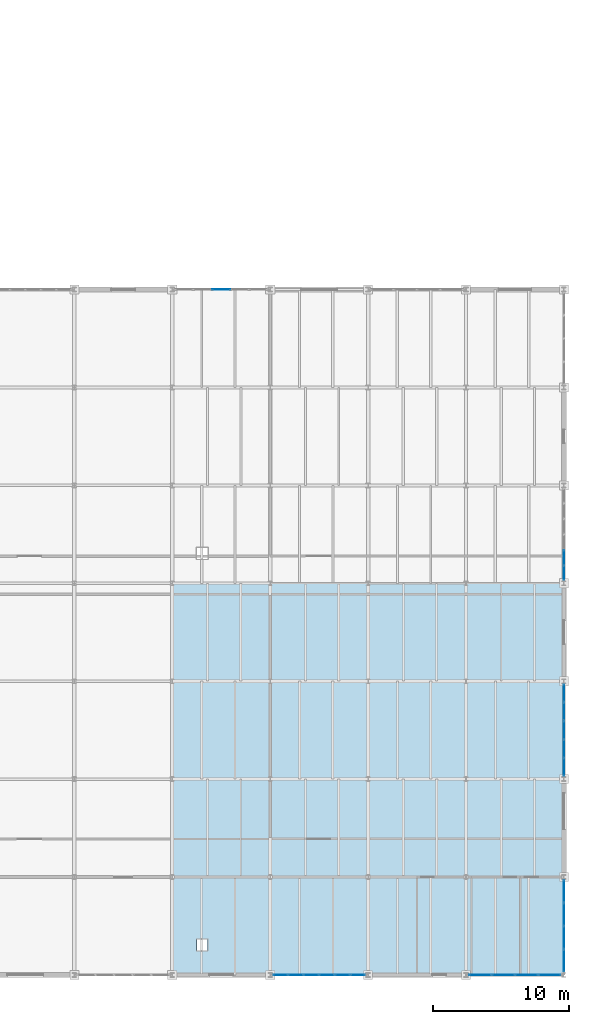
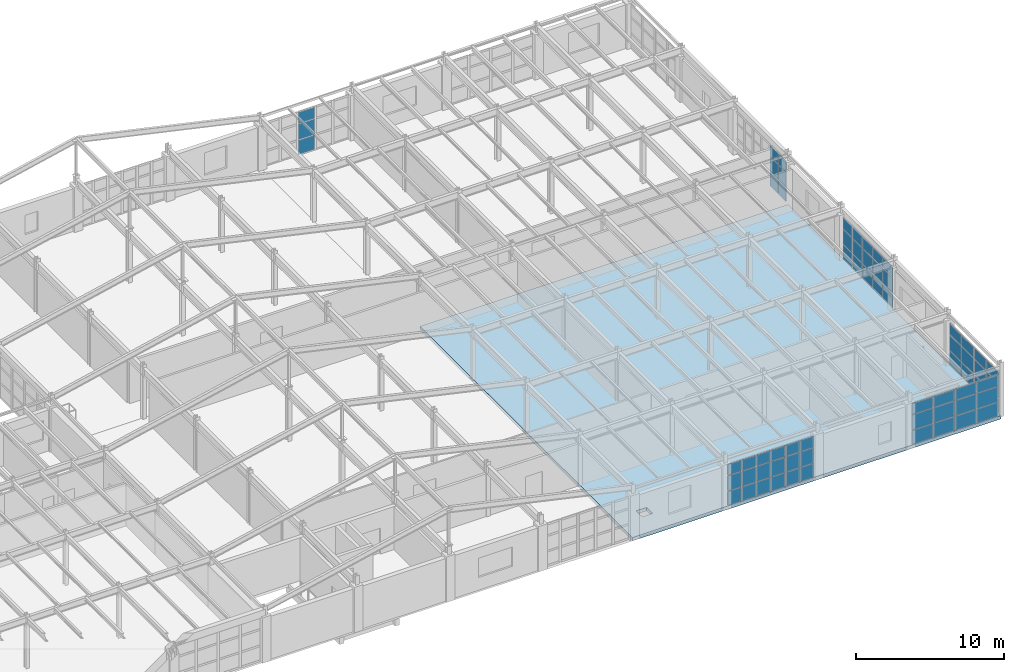
# One storey, part 119 of 137: 66 plates, 1 slab, 6 elements without a shape of their own.
"""IFC4 building model written with IfcOpenShell, lengths in metres."""

from ifc_helpers import new_model, si_unit, direction, frame, origin, origin_2d, place, context, subcontext, project, spatial, polyline, rectangle, outline, extrude, material, layer, layer_set, type_object, element, aggregate, save


model = new_model("IFC4")

# Units and contexts
model_context = context("Model", 3, precision=1e-05, world=origin(), true_north=direction((0.0, 1.0)))
body_context = subcontext(model_context, "Body", "Model", "MODEL_VIEW")
ifc_project = project(units=[si_unit("LENGTHUNIT", "METRE"), si_unit("AREAUNIT", "SQUARE_METRE"), si_unit("VOLUMEUNIT", "CUBIC_METRE"), si_unit("PLANEANGLEUNIT", "RADIAN"), si_unit("MASSUNIT", "GRAM", prefix="KILO")], contexts=[model_context])

# Site, building, storey
site_placement = place(None, origin())
site = spatial("IfcSite", under=ifc_project, at=site_placement, CompositionType="ELEMENT")
building_placement = place(site_placement, origin())
building = spatial("IfcBuilding", under=site, at=building_placement, Name="Kemerveld Promenade Tramway Depot", CompositionType="ELEMENT")
storey_placement = place(building_placement, frame((0.0, 0.0, 5.39990234375)))
storey = spatial("IfcBuildingStorey", under=building, at=storey_placement, Name="L01", CompositionType="ELEMENT", Elevation=5.39990234375)

# Curtain wall, plates
ifc_material_1 = material(Name="Bronze anodised aluminium and solar glass", Category="aluminium")
ifc_layer_1 = layer(ifc_material_1, 0.199951171875)
ifc_layer_set_1 = layer_set([ifc_layer_1], Name="CW-SYS-10")
curtain_wall_type_1 = type_object("IfcCurtainWallType", Name="CW-SYS-10", PredefinedType="USERDEFINED", material=ifc_layer_set_1)
curtain_wall_1_placement = place(storey_placement, origin())
curtain_wall_1 = element("IfcCurtainWall", 1, at=curtain_wall_1_placement, inside=storey, type_object=curtain_wall_type_1, Name="CW-L01-V2E-07", ObjectType="GLAZED_CURTAIN_WALL", PredefinedType="USERDEFINED")
ifc_material_2 = material(Name="Solar-control laminated double glazing", Category="glass")
ifc_layer_2 = layer(ifc_material_2, 0.028076171875)
ifc_layer_set_2 = layer_set([ifc_layer_2], Name="CW-PNL-02")
plate_type_1 = type_object("IfcPlateType", Name="CW-PNL-02", PredefinedType="CURTAIN_PANEL", material=ifc_layer_set_2)
plate_1_placement = place(storey_placement, frame((216.0, 6.1484375, 0.065185546875), z_axis=(0.0, 0.0, 1.0), x_axis=(0.0, -1.0, 0.0)))
plate_1 = element("IfcPlate", 2, at=plate_1_placement, type_object=plate_type_1, Name="CW10 panel 1.1", PredefinedType="CURTAIN_PANEL", context=body_context, shape_type="SweptSolid", body=[
    extrude(rectangle(XDim=1.598876953125, YDim=0.028076171875, at=origin_2d()), origin(), (0.0, 0.0, 1.0), 1.12451171875),
])
plate_2_placement = place(storey_placement, frame((216.0, 6.1484375, 1.254638671875), z_axis=(0.0, 0.0, 1.0), x_axis=(0.0, -1.0, 0.0)))
plate_2 = element("IfcPlate", 3, at=plate_2_placement, type_object=plate_type_1, Name="CW10 panel 1.2", PredefinedType="CURTAIN_PANEL", context=body_context, shape_type="SweptSolid", body=[
    extrude(rectangle(XDim=1.598876953125, YDim=0.028076171875, at=origin_2d()), origin(), (0.0, 0.0, 1.0), 1.22802734375),
])
plate_3_placement = place(storey_placement, frame((216.0, 6.1484375, 2.547607421875), z_axis=(0.0, 0.0, 1.0), x_axis=(0.0, -1.0, 0.0)))
plate_3 = element("IfcPlate", 4, at=plate_3_placement, type_object=plate_type_1, Name="CW10 panel 1.3", PredefinedType="CURTAIN_PANEL", context=body_context, shape_type="SweptSolid", body=[
    extrude(rectangle(XDim=1.598876953125, YDim=0.028076171875, at=origin_2d()), origin(), (0.0, 0.0, 1.0), 0.8798828125),
])
plate_4_placement = place(storey_placement, frame((216.0, 4.455810546875, 0.065185546875), z_axis=(0.0, 0.0, 1.0), x_axis=(0.0, -1.0, 0.0)))
plate_4 = element("IfcPlate", 5, at=plate_4_placement, type_object=plate_type_1, Name="CW10 panel 2.1", PredefinedType="CURTAIN_PANEL", context=body_context, shape_type="SweptSolid", body=[
    extrude(rectangle(XDim=1.636474609375, YDim=0.028076171875, at=origin_2d()), origin(), (0.0, 0.0, 1.0), 1.12451171875),
])
plate_5_placement = place(storey_placement, frame((216.0, 4.455810546875, 1.254638671875), z_axis=(0.0, 0.0, 1.0), x_axis=(0.0, -1.0, 0.0)))
plate_5 = element("IfcPlate", 6, at=plate_5_placement, type_object=plate_type_1, Name="CW10 panel 2.2", PredefinedType="CURTAIN_PANEL", context=body_context, shape_type="SweptSolid", body=[
    extrude(rectangle(XDim=1.636474609375, YDim=0.028076171875, at=origin_2d()), origin(), (0.0, 0.0, 1.0), 1.22802734375),
])
plate_6_placement = place(storey_placement, frame((216.0, 4.455810546875, 2.547607421875), z_axis=(0.0, 0.0, 1.0), x_axis=(0.0, -1.0, 0.0)))
plate_6 = element("IfcPlate", 7, at=plate_6_placement, type_object=plate_type_1, Name="CW10 panel 2.3", PredefinedType="CURTAIN_PANEL", context=body_context, shape_type="SweptSolid", body=[
    extrude(rectangle(XDim=1.636474609375, YDim=0.028076171875, at=origin_2d()), origin(), (0.0, 0.0, 1.0), 0.8798828125),
])
plate_7_placement = place(storey_placement, frame((216.0, 2.744384765625, 0.065185546875), z_axis=(0.0, 0.0, 1.0), x_axis=(0.0, -1.0, 0.0)))
plate_7 = element("IfcPlate", 8, at=plate_7_placement, type_object=plate_type_1, Name="CW10 panel 3.1", PredefinedType="CURTAIN_PANEL", context=body_context, shape_type="SweptSolid", body=[
    extrude(rectangle(XDim=1.636474609375, YDim=0.028076171875, at=origin_2d()), origin(), (0.0, 0.0, 1.0), 1.12451171875),
])
plate_8_placement = place(storey_placement, frame((216.0, 2.744384765625, 1.254638671875), z_axis=(0.0, 0.0, 1.0), x_axis=(0.0, -1.0, 0.0)))
plate_8 = element("IfcPlate", 9, at=plate_8_placement, type_object=plate_type_1, Name="CW10 panel 3.2", PredefinedType="CURTAIN_PANEL", context=body_context, shape_type="SweptSolid", body=[
    extrude(rectangle(XDim=1.636474609375, YDim=0.028076171875, at=origin_2d()), origin(), (0.0, 0.0, 1.0), 1.22802734375),
])
plate_9_placement = place(storey_placement, frame((216.0, 2.744384765625, 2.547607421875), z_axis=(0.0, 0.0, 1.0), x_axis=(0.0, -1.0, 0.0)))
plate_9 = element("IfcPlate", 10, at=plate_9_placement, type_object=plate_type_1, Name="CW10 panel 3.3", PredefinedType="CURTAIN_PANEL", context=body_context, shape_type="SweptSolid", body=[
    extrude(rectangle(XDim=1.636474609375, YDim=0.028076171875, at=origin_2d()), origin(), (0.0, 0.0, 1.0), 0.8798828125),
])
plate_10_placement = place(storey_placement, frame((216.0, 1.0517578125, 0.065185546875), z_axis=(0.0, 0.0, 1.0), x_axis=(0.0, -1.0, 0.0)))
plate_10 = element("IfcPlate", 11, at=plate_10_placement, type_object=plate_type_1, Name="CW10 panel 4.1", PredefinedType="CURTAIN_PANEL", context=body_context, shape_type="SweptSolid", body=[
    extrude(rectangle(XDim=1.598876953125, YDim=0.028076171875, at=origin_2d()), origin(), (0.0, 0.0, 1.0), 1.12451171875),
])
plate_11_placement = place(storey_placement, frame((216.0, 1.0517578125, 1.254638671875), z_axis=(0.0, 0.0, 1.0), x_axis=(0.0, -1.0, 0.0)))
plate_11 = element("IfcPlate", 12, at=plate_11_placement, type_object=plate_type_1, Name="CW10 panel 4.2", PredefinedType="CURTAIN_PANEL", context=body_context, shape_type="SweptSolid", body=[
    extrude(rectangle(XDim=1.598876953125, YDim=0.028076171875, at=origin_2d()), origin(), (0.0, 0.0, 1.0), 1.22802734375),
])
plate_12_placement = place(storey_placement, frame((216.0, 1.0517578125, 2.547607421875), z_axis=(0.0, 0.0, 1.0), x_axis=(0.0, -1.0, 0.0)))
plate_12 = element("IfcPlate", 13, at=plate_12_placement, type_object=plate_type_1, Name="CW10 panel 4.3", PredefinedType="CURTAIN_PANEL", context=body_context, shape_type="SweptSolid", body=[
    extrude(rectangle(XDim=1.598876953125, YDim=0.028076171875, at=origin_2d()), origin(), (0.0, 0.0, 1.0), 0.8798828125),
])
aggregate(curtain_wall_1, [plate_1, plate_2, plate_3, plate_4, plate_5, plate_6, plate_7, plate_8, plate_9, plate_10, plate_11, plate_12])

ifc_layer_3 = layer(ifc_material_1, 0.199951171875)
ifc_layer_set_3 = layer_set([ifc_layer_3], Name="CW-SYS-04")
curtain_wall_type_2 = type_object("IfcCurtainWallType", Name="CW-SYS-04", PredefinedType="USERDEFINED", material=ifc_layer_set_3)
curtain_wall_2_placement = place(storey_placement, origin())
curtain_wall_2 = element("IfcCurtainWall", 14, at=curtain_wall_2_placement, inside=storey, type_object=curtain_wall_type_2, Name="CW-L01-V2S-01", ObjectType="GLAZED_CURTAIN_WALL", PredefinedType="USERDEFINED")
ifc_layer_4 = layer(ifc_material_2, 0.031982421875)
ifc_layer_set_4 = layer_set([ifc_layer_4], Name="CW-PNL-04")
plate_type_2 = type_object("IfcPlateType", Name="CW-PNL-04", PredefinedType="CURTAIN_PANEL", material=ifc_layer_set_4)
plate_13_placement = place(storey_placement, frame((214.9482421875, 0.0, 0.065185546875), z_axis=(0.0, 0.0, 1.0), x_axis=(-1.0, 0.0, 0.0)))
plate_13 = element("IfcPlate", 15, at=plate_13_placement, type_object=plate_type_2, Name="CW04 panel 1.1", PredefinedType="CURTAIN_PANEL", context=body_context, shape_type="SweptSolid", body=[
    extrude(rectangle(XDim=1.598876953125, YDim=0.031982421875, at=origin_2d()), origin(), (0.0, 0.0, 1.0), 1.12451171875),
])
plate_14_placement = place(storey_placement, frame((214.9482421875, 0.0, 1.254638671875), z_axis=(0.0, 0.0, 1.0), x_axis=(-1.0, 0.0, 0.0)))
plate_14 = element("IfcPlate", 16, at=plate_14_placement, type_object=plate_type_2, Name="CW04 panel 1.2", PredefinedType="CURTAIN_PANEL", context=body_context, shape_type="SweptSolid", body=[
    extrude(rectangle(XDim=1.598876953125, YDim=0.031982421875, at=origin_2d()), origin(), (0.0, 0.0, 1.0), 1.22802734375),
])
plate_15_placement = place(storey_placement, frame((214.9482421875, 0.0, 2.547607421875), z_axis=(0.0, 0.0, 1.0), x_axis=(-1.0, 0.0, 0.0)))
plate_15 = element("IfcPlate", 17, at=plate_15_placement, type_object=plate_type_2, Name="CW04 panel 1.3", PredefinedType="CURTAIN_PANEL", context=body_context, shape_type="SweptSolid", body=[
    extrude(rectangle(XDim=1.598876953125, YDim=0.031982421875, at=origin_2d()), origin(), (0.0, 0.0, 1.0), 0.8798828125),
])
plate_16_placement = place(storey_placement, frame((213.255615234375, 0.0, 0.065185546875), z_axis=(0.0, 0.0, 1.0), x_axis=(-1.0, 0.0, 0.0)))
plate_16 = element("IfcPlate", 18, at=plate_16_placement, type_object=plate_type_2, Name="CW04 panel 2.1", PredefinedType="CURTAIN_PANEL", context=body_context, shape_type="SweptSolid", body=[
    extrude(rectangle(XDim=1.636474609375, YDim=0.031982421875, at=origin_2d()), origin(), (0.0, 0.0, 1.0), 1.12451171875),
])
plate_17_placement = place(storey_placement, frame((213.255615234375, 0.0, 1.254638671875), z_axis=(0.0, 0.0, 1.0), x_axis=(-1.0, 0.0, 0.0)))
plate_17 = element("IfcPlate", 19, at=plate_17_placement, type_object=plate_type_2, Name="CW04 panel 2.2", PredefinedType="CURTAIN_PANEL", context=body_context, shape_type="SweptSolid", body=[
    extrude(rectangle(XDim=1.636474609375, YDim=0.031982421875, at=origin_2d()), origin(), (0.0, 0.0, 1.0), 1.22802734375),
])
plate_18_placement = place(storey_placement, frame((213.255615234375, 0.0, 2.547607421875), z_axis=(0.0, 0.0, 1.0), x_axis=(-1.0, 0.0, 0.0)))
plate_18 = element("IfcPlate", 20, at=plate_18_placement, type_object=plate_type_2, Name="CW04 panel 2.3", PredefinedType="CURTAIN_PANEL", context=body_context, shape_type="SweptSolid", body=[
    extrude(rectangle(XDim=1.636474609375, YDim=0.031982421875, at=origin_2d()), origin(), (0.0, 0.0, 1.0), 0.8798828125),
])
plate_19_placement = place(storey_placement, frame((211.544189453125, 0.0, 0.065185546875), z_axis=(0.0, 0.0, 1.0), x_axis=(-1.0, 0.0, 0.0)))
plate_19 = element("IfcPlate", 21, at=plate_19_placement, type_object=plate_type_2, Name="CW04 panel 3.1", PredefinedType="CURTAIN_PANEL", context=body_context, shape_type="SweptSolid", body=[
    extrude(rectangle(XDim=1.636474609375, YDim=0.031982421875, at=origin_2d()), origin(), (0.0, 0.0, 1.0), 1.12451171875),
])
plate_20_placement = place(storey_placement, frame((211.544189453125, 0.0, 1.254638671875), z_axis=(0.0, 0.0, 1.0), x_axis=(-1.0, 0.0, 0.0)))
plate_20 = element("IfcPlate", 22, at=plate_20_placement, type_object=plate_type_2, Name="CW04 panel 3.2", PredefinedType="CURTAIN_PANEL", context=body_context, shape_type="SweptSolid", body=[
    extrude(rectangle(XDim=1.636474609375, YDim=0.031982421875, at=origin_2d()), origin(), (0.0, 0.0, 1.0), 1.22802734375),
])
plate_21_placement = place(storey_placement, frame((211.544189453125, 0.0, 2.547607421875), z_axis=(0.0, 0.0, 1.0), x_axis=(-1.0, 0.0, 0.0)))
plate_21 = element("IfcPlate", 23, at=plate_21_placement, type_object=plate_type_2, Name="CW04 panel 3.3", PredefinedType="CURTAIN_PANEL", context=body_context, shape_type="SweptSolid", body=[
    extrude(rectangle(XDim=1.636474609375, YDim=0.031982421875, at=origin_2d()), origin(), (0.0, 0.0, 1.0), 0.8798828125),
])
plate_22_placement = place(storey_placement, frame((209.8515625, 0.0, 0.065185546875), z_axis=(0.0, 0.0, 1.0), x_axis=(-1.0, 0.0, 0.0)))
plate_22 = element("IfcPlate", 24, at=plate_22_placement, type_object=plate_type_2, Name="CW04 panel 4.1", PredefinedType="CURTAIN_PANEL", context=body_context, shape_type="SweptSolid", body=[
    extrude(rectangle(XDim=1.598876953125, YDim=0.031982421875, at=origin_2d()), origin(), (0.0, 0.0, 1.0), 1.12451171875),
])
plate_23_placement = place(storey_placement, frame((209.8515625, 0.0, 1.254638671875), z_axis=(0.0, 0.0, 1.0), x_axis=(-1.0, 0.0, 0.0)))
plate_23 = element("IfcPlate", 25, at=plate_23_placement, type_object=plate_type_2, Name="CW04 panel 4.2", PredefinedType="CURTAIN_PANEL", context=body_context, shape_type="SweptSolid", body=[
    extrude(rectangle(XDim=1.598876953125, YDim=0.031982421875, at=origin_2d()), origin(), (0.0, 0.0, 1.0), 1.22802734375),
])
plate_24_placement = place(storey_placement, frame((209.8515625, 0.0, 2.547607421875), z_axis=(0.0, 0.0, 1.0), x_axis=(-1.0, 0.0, 0.0)))
plate_24 = element("IfcPlate", 26, at=plate_24_placement, type_object=plate_type_2, Name="CW04 panel 4.3", PredefinedType="CURTAIN_PANEL", context=body_context, shape_type="SweptSolid", body=[
    extrude(rectangle(XDim=1.598876953125, YDim=0.031982421875, at=origin_2d()), origin(), (0.0, 0.0, 1.0), 0.8798828125),
])
aggregate(curtain_wall_2, [plate_13, plate_14, plate_15, plate_16, plate_17, plate_18, plate_19, plate_20, plate_21, plate_22, plate_23, plate_24])

ifc_layer_5 = layer(ifc_material_1, 0.199951171875)
ifc_layer_set_5 = layer_set([ifc_layer_5], Name="CW-SYS-06")
curtain_wall_type_3 = type_object("IfcCurtainWallType", Name="CW-SYS-06", PredefinedType="USERDEFINED", material=ifc_layer_set_5)
curtain_wall_3_placement = place(storey_placement, origin())
curtain_wall_3 = element("IfcCurtainWall", 27, at=curtain_wall_3_placement, inside=storey, type_object=curtain_wall_type_3, Name="CW-L01-V2E-03", ObjectType="GLAZED_CURTAIN_WALL", PredefinedType="USERDEFINED")
ifc_layer_6 = layer(ifc_material_2, 0.02587890625)
ifc_layer_set_6 = layer_set([ifc_layer_6], Name="CW-PNL-06")
plate_type_3 = type_object("IfcPlateType", Name="CW-PNL-06", PredefinedType="CURTAIN_PANEL", material=ifc_layer_set_6)
plate_25_placement = place(storey_placement, frame((216.0, 30.688720703125, 0.065185546875), z_axis=(0.0, 0.0, 1.0), x_axis=(0.0, -1.0, 0.0)))
plate_25 = element("IfcPlate", 28, at=plate_25_placement, type_object=plate_type_3, Name="CW06 panel 5.1", PredefinedType="CURTAIN_PANEL", context=body_context, shape_type="SweptSolid", body=[
    extrude(rectangle(XDim=1.06591796875, YDim=0.02587890625, at=origin_2d()), origin(), (0.0, 0.0, 1.0), 1.12451171875),
])
plate_26_placement = place(storey_placement, frame((216.0, 30.688720703125, 1.254638671875), z_axis=(0.0, 0.0, 1.0), x_axis=(0.0, -1.0, 0.0)))
plate_26 = element("IfcPlate", 29, at=plate_26_placement, type_object=plate_type_3, Name="CW06 panel 5.2", PredefinedType="CURTAIN_PANEL", context=body_context, shape_type="SweptSolid", body=[
    extrude(rectangle(XDim=1.06591796875, YDim=0.02587890625, at=origin_2d()), origin(), (0.0, 0.0, 1.0), 1.22802734375),
])
plate_27_placement = place(storey_placement, frame((216.0, 30.688720703125, 2.547607421875), z_axis=(0.0, 0.0, 1.0), x_axis=(0.0, -1.0, 0.0)))
plate_27 = element("IfcPlate", 30, at=plate_27_placement, type_object=plate_type_3, Name="CW06 panel 5.3", PredefinedType="CURTAIN_PANEL", context=body_context, shape_type="SweptSolid", body=[
    extrude(rectangle(XDim=1.06591796875, YDim=0.02587890625, at=origin_2d()), origin(), (0.0, 0.0, 1.0), 0.8798828125),
])
plate_28_placement = place(storey_placement, frame((216.0, 29.56640625, 0.065185546875), z_axis=(0.0, 0.0, 1.0), x_axis=(0.0, -1.0, 0.0)))
plate_28 = element("IfcPlate", 31, at=plate_28_placement, type_object=plate_type_3, Name="CW06 panel 6.1", PredefinedType="CURTAIN_PANEL", context=body_context, shape_type="SweptSolid", body=[
    extrude(rectangle(XDim=1.0283203125, YDim=0.02587890625, at=origin_2d()), origin(), (0.0, 0.0, 1.0), 1.12451171875),
])
plate_29_placement = place(storey_placement, frame((216.0, 29.56640625, 1.254638671875), z_axis=(0.0, 0.0, 1.0), x_axis=(0.0, -1.0, 0.0)))
plate_29 = element("IfcPlate", 32, at=plate_29_placement, type_object=plate_type_3, Name="CW06 panel 6.2", PredefinedType="CURTAIN_PANEL", context=body_context, shape_type="SweptSolid", body=[
    extrude(rectangle(XDim=1.0283203125, YDim=0.02587890625, at=origin_2d()), origin(), (0.0, 0.0, 1.0), 1.22802734375),
])
plate_30_placement = place(storey_placement, frame((216.0, 29.56640625, 2.547607421875), z_axis=(0.0, 0.0, 1.0), x_axis=(0.0, -1.0, 0.0)))
plate_30 = element("IfcPlate", 33, at=plate_30_placement, type_object=plate_type_3, Name="CW06 panel 6.3", PredefinedType="CURTAIN_PANEL", context=body_context, shape_type="SweptSolid", body=[
    extrude(rectangle(XDim=1.0283203125, YDim=0.02587890625, at=origin_2d()), origin(), (0.0, 0.0, 1.0), 0.8798828125),
])
aggregate(curtain_wall_3, [plate_25, plate_26, plate_27, plate_28, plate_29, plate_30])

curtain_wall_4_placement = place(storey_placement, origin())
curtain_wall_4 = element("IfcCurtainWall", 34, at=curtain_wall_4_placement, inside=storey, type_object=curtain_wall_type_3, Name="CW-L01-V2S-03", ObjectType="GLAZED_CURTAIN_WALL", PredefinedType="USERDEFINED")
plate_31_placement = place(storey_placement, frame((200.83349609375, 0.0, 0.065185546875), z_axis=(0.0, 0.0, 1.0), x_axis=(-1.0, 0.0, 0.0)))
plate_31 = element("IfcPlate", 35, at=plate_31_placement, type_object=plate_type_3, Name="CW06 panel 1.1", PredefinedType="CURTAIN_PANEL", context=body_context, shape_type="SweptSolid", body=[
    extrude(rectangle(XDim=1.0283203125, YDim=0.02587890625, at=origin_2d()), origin(), (0.0, 0.0, 1.0), 1.12451171875),
])
plate_32_placement = place(storey_placement, frame((200.83349609375, 0.0, 1.254638671875), z_axis=(0.0, 0.0, 1.0), x_axis=(-1.0, 0.0, 0.0)))
plate_32 = element("IfcPlate", 36, at=plate_32_placement, type_object=plate_type_3, Name="CW06 panel 1.2", PredefinedType="CURTAIN_PANEL", context=body_context, shape_type="SweptSolid", body=[
    extrude(rectangle(XDim=1.0283203125, YDim=0.02587890625, at=origin_2d()), origin(), (0.0, 0.0, 1.0), 1.22802734375),
])
plate_33_placement = place(storey_placement, frame((200.83349609375, 0.0, 2.547607421875), z_axis=(0.0, 0.0, 1.0), x_axis=(-1.0, 0.0, 0.0)))
plate_33 = element("IfcPlate", 37, at=plate_33_placement, type_object=plate_type_3, Name="CW06 panel 1.3", PredefinedType="CURTAIN_PANEL", context=body_context, shape_type="SweptSolid", body=[
    extrude(rectangle(XDim=1.0283203125, YDim=0.02587890625, at=origin_2d()), origin(), (0.0, 0.0, 1.0), 0.8798828125),
])
plate_34_placement = place(storey_placement, frame((199.71142578125, 0.0, 0.065185546875), z_axis=(0.0, 0.0, 1.0), x_axis=(-1.0, 0.0, 0.0)))
plate_34 = element("IfcPlate", 38, at=plate_34_placement, type_object=plate_type_3, Name="CW06 panel 2.1", PredefinedType="CURTAIN_PANEL", context=body_context, shape_type="SweptSolid", body=[
    extrude(rectangle(XDim=1.06591796875, YDim=0.02587890625, at=origin_2d()), origin(), (0.0, 0.0, 1.0), 1.12451171875),
])
plate_35_placement = place(storey_placement, frame((199.71142578125, 0.0, 1.254638671875), z_axis=(0.0, 0.0, 1.0), x_axis=(-1.0, 0.0, 0.0)))
plate_35 = element("IfcPlate", 39, at=plate_35_placement, type_object=plate_type_3, Name="CW06 panel 2.2", PredefinedType="CURTAIN_PANEL", context=body_context, shape_type="SweptSolid", body=[
    extrude(rectangle(XDim=1.06591796875, YDim=0.02587890625, at=origin_2d()), origin(), (0.0, 0.0, 1.0), 1.22802734375),
])
plate_36_placement = place(storey_placement, frame((199.71142578125, 0.0, 2.547607421875), z_axis=(0.0, 0.0, 1.0), x_axis=(-1.0, 0.0, 0.0)))
plate_36 = element("IfcPlate", 40, at=plate_36_placement, type_object=plate_type_3, Name="CW06 panel 2.3", PredefinedType="CURTAIN_PANEL", context=body_context, shape_type="SweptSolid", body=[
    extrude(rectangle(XDim=1.06591796875, YDim=0.02587890625, at=origin_2d()), origin(), (0.0, 0.0, 1.0), 0.8798828125),
])
plate_37_placement = place(storey_placement, frame((198.570556640625, 0.0, 0.065185546875), z_axis=(0.0, 0.0, 1.0), x_axis=(-1.0, 0.0, 0.0)))
plate_37 = element("IfcPlate", 41, at=plate_37_placement, type_object=plate_type_3, Name="CW06 panel 3.1", PredefinedType="CURTAIN_PANEL", context=body_context, shape_type="SweptSolid", body=[
    extrude(rectangle(XDim=1.06591796875, YDim=0.02587890625, at=origin_2d()), origin(), (0.0, 0.0, 1.0), 1.12451171875),
])
plate_38_placement = place(storey_placement, frame((198.570556640625, 0.0, 1.254638671875), z_axis=(0.0, 0.0, 1.0), x_axis=(-1.0, 0.0, 0.0)))
plate_38 = element("IfcPlate", 42, at=plate_38_placement, type_object=plate_type_3, Name="CW06 panel 3.2", PredefinedType="CURTAIN_PANEL", context=body_context, shape_type="SweptSolid", body=[
    extrude(rectangle(XDim=1.06591796875, YDim=0.02587890625, at=origin_2d()), origin(), (0.0, 0.0, 1.0), 1.22802734375),
])
plate_39_placement = place(storey_placement, frame((198.570556640625, 0.0, 2.547607421875), z_axis=(0.0, 0.0, 1.0), x_axis=(-1.0, 0.0, 0.0)))
plate_39 = element("IfcPlate", 43, at=plate_39_placement, type_object=plate_type_3, Name="CW06 panel 3.3", PredefinedType="CURTAIN_PANEL", context=body_context, shape_type="SweptSolid", body=[
    extrude(rectangle(XDim=1.06591796875, YDim=0.02587890625, at=origin_2d()), origin(), (0.0, 0.0, 1.0), 0.8798828125),
])
plate_40_placement = place(storey_placement, frame((197.429443359375, 0.0, 0.065185546875), z_axis=(0.0, 0.0, 1.0), x_axis=(-1.0, 0.0, 0.0)))
plate_40 = element("IfcPlate", 44, at=plate_40_placement, type_object=plate_type_3, Name="CW06 panel 4.1", PredefinedType="CURTAIN_PANEL", context=body_context, shape_type="SweptSolid", body=[
    extrude(rectangle(XDim=1.06591796875, YDim=0.02587890625, at=origin_2d()), origin(), (0.0, 0.0, 1.0), 1.12451171875),
])
plate_41_placement = place(storey_placement, frame((197.429443359375, 0.0, 1.254638671875), z_axis=(0.0, 0.0, 1.0), x_axis=(-1.0, 0.0, 0.0)))
plate_41 = element("IfcPlate", 45, at=plate_41_placement, type_object=plate_type_3, Name="CW06 panel 4.2", PredefinedType="CURTAIN_PANEL", context=body_context, shape_type="SweptSolid", body=[
    extrude(rectangle(XDim=1.06591796875, YDim=0.02587890625, at=origin_2d()), origin(), (0.0, 0.0, 1.0), 1.22802734375),
])
plate_42_placement = place(storey_placement, frame((197.429443359375, 0.0, 2.547607421875), z_axis=(0.0, 0.0, 1.0), x_axis=(-1.0, 0.0, 0.0)))
plate_42 = element("IfcPlate", 46, at=plate_42_placement, type_object=plate_type_3, Name="CW06 panel 4.3", PredefinedType="CURTAIN_PANEL", context=body_context, shape_type="SweptSolid", body=[
    extrude(rectangle(XDim=1.06591796875, YDim=0.02587890625, at=origin_2d()), origin(), (0.0, 0.0, 1.0), 0.8798828125),
])
plate_43_placement = place(storey_placement, frame((196.28857421875, 0.0, 0.065185546875), z_axis=(0.0, 0.0, 1.0), x_axis=(-1.0, 0.0, 0.0)))
plate_43 = element("IfcPlate", 47, at=plate_43_placement, type_object=plate_type_3, Name="CW06 panel 5.1", PredefinedType="CURTAIN_PANEL", context=body_context, shape_type="SweptSolid", body=[
    extrude(rectangle(XDim=1.06591796875, YDim=0.02587890625, at=origin_2d()), origin(), (0.0, 0.0, 1.0), 1.12451171875),
])
plate_44_placement = place(storey_placement, frame((196.28857421875, 0.0, 1.254638671875), z_axis=(0.0, 0.0, 1.0), x_axis=(-1.0, 0.0, 0.0)))
plate_44 = element("IfcPlate", 48, at=plate_44_placement, type_object=plate_type_3, Name="CW06 panel 5.2", PredefinedType="CURTAIN_PANEL", context=body_context, shape_type="SweptSolid", body=[
    extrude(rectangle(XDim=1.06591796875, YDim=0.02587890625, at=origin_2d()), origin(), (0.0, 0.0, 1.0), 1.22802734375),
])
plate_45_placement = place(storey_placement, frame((196.28857421875, 0.0, 2.547607421875), z_axis=(0.0, 0.0, 1.0), x_axis=(-1.0, 0.0, 0.0)))
plate_45 = element("IfcPlate", 49, at=plate_45_placement, type_object=plate_type_3, Name="CW06 panel 5.3", PredefinedType="CURTAIN_PANEL", context=body_context, shape_type="SweptSolid", body=[
    extrude(rectangle(XDim=1.06591796875, YDim=0.02587890625, at=origin_2d()), origin(), (0.0, 0.0, 1.0), 0.8798828125),
])
plate_46_placement = place(storey_placement, frame((195.16650390625, 0.0, 0.065185546875), z_axis=(0.0, 0.0, 1.0), x_axis=(-1.0, 0.0, 0.0)))
plate_46 = element("IfcPlate", 50, at=plate_46_placement, type_object=plate_type_3, Name="CW06 panel 6.1", PredefinedType="CURTAIN_PANEL", context=body_context, shape_type="SweptSolid", body=[
    extrude(rectangle(XDim=1.0283203125, YDim=0.02587890625, at=origin_2d()), origin(), (0.0, 0.0, 1.0), 1.12451171875),
])
plate_47_placement = place(storey_placement, frame((195.16650390625, 0.0, 1.254638671875), z_axis=(0.0, 0.0, 1.0), x_axis=(-1.0, 0.0, 0.0)))
plate_47 = element("IfcPlate", 51, at=plate_47_placement, type_object=plate_type_3, Name="CW06 panel 6.2", PredefinedType="CURTAIN_PANEL", context=body_context, shape_type="SweptSolid", body=[
    extrude(rectangle(XDim=1.0283203125, YDim=0.02587890625, at=origin_2d()), origin(), (0.0, 0.0, 1.0), 1.22802734375),
])
plate_48_placement = place(storey_placement, frame((195.16650390625, 0.0, 2.547607421875), z_axis=(0.0, 0.0, 1.0), x_axis=(-1.0, 0.0, 0.0)))
plate_48 = element("IfcPlate", 52, at=plate_48_placement, type_object=plate_type_3, Name="CW06 panel 6.3", PredefinedType="CURTAIN_PANEL", context=body_context, shape_type="SweptSolid", body=[
    extrude(rectangle(XDim=1.0283203125, YDim=0.02587890625, at=origin_2d()), origin(), (0.0, 0.0, 1.0), 0.8798828125),
])
aggregate(curtain_wall_4, [plate_31, plate_32, plate_33, plate_34, plate_35, plate_36, plate_37, plate_38, plate_39, plate_40, plate_41, plate_42, plate_43, plate_44, plate_45, plate_46, plate_47, plate_48])

ifc_layer_7 = layer(ifc_material_1, 0.199951171875)
ifc_layer_set_7 = layer_set([ifc_layer_7], Name="CW-SYS-08")
curtain_wall_type_4 = type_object("IfcCurtainWallType", Name="CW-SYS-08", PredefinedType="USERDEFINED", material=ifc_layer_set_7)
curtain_wall_5_placement = place(storey_placement, origin())
curtain_wall_5 = element("IfcCurtainWall", 53, at=curtain_wall_5_placement, inside=storey, type_object=curtain_wall_type_4, Name="CW-L01-V2N-05", ObjectType="GLAZED_CURTAIN_WALL", PredefinedType="USERDEFINED")
ifc_layer_8 = layer(ifc_material_2, 0.028076171875)
ifc_layer_set_8 = layer_set([ifc_layer_8], Name="CW-PNL-08")
plate_type_4 = type_object("IfcPlateType", Name="CW-PNL-08", PredefinedType="CURTAIN_PANEL", material=ifc_layer_set_8)
plate_49_placement = place(storey_placement, frame((190.800048828125, 50.39990234375, 0.065185546875), z_axis=(0.0, 0.0, 1.0), x_axis=(1.0, 0.0, 0.0)))
plate_49 = element("IfcPlate", 54, at=plate_49_placement, type_object=plate_type_4, Name="CW08 panel 3.1", PredefinedType="CURTAIN_PANEL", context=body_context, shape_type="SweptSolid", body=[
    extrude(rectangle(XDim=1.294189453125, YDim=0.028076171875, at=origin_2d()), origin(), (0.0, 0.0, 1.0), 1.16650390625),
])
plate_50_placement = place(storey_placement, frame((190.800048828125, 50.39990234375, 1.296630859375), z_axis=(0.0, 0.0, 1.0), x_axis=(1.0, 0.0, 0.0)))
plate_50 = element("IfcPlate", 55, at=plate_50_placement, type_object=plate_type_4, Name="CW08 panel 3.2", PredefinedType="CURTAIN_PANEL", context=body_context, shape_type="SweptSolid", body=[
    extrude(rectangle(XDim=1.294189453125, YDim=0.028076171875, at=origin_2d()), origin(), (0.0, 0.0, 1.0), 1.27197265625),
])
plate_51_placement = place(storey_placement, frame((190.800048828125, 50.39990234375, 2.633544921875), z_axis=(0.0, 0.0, 1.0), x_axis=(1.0, 0.0, 0.0)))
plate_51 = element("IfcPlate", 56, at=plate_51_placement, type_object=plate_type_4, Name="CW08 panel 3.3", PredefinedType="CURTAIN_PANEL", context=body_context, shape_type="SweptSolid", body=[
    extrude(rectangle(XDim=1.294189453125, YDim=0.028076171875, at=origin_2d()), origin(), (0.0, 0.0, 1.0), 0.9140625),
])
aggregate(curtain_wall_5, [plate_49, plate_50, plate_51])

curtain_wall_6_placement = place(storey_placement, origin())
curtain_wall_6 = element("IfcCurtainWall", 57, at=curtain_wall_6_placement, inside=storey, type_object=curtain_wall_type_4, Name="CW-L01-V2E-05", ObjectType="GLAZED_CURTAIN_WALL", PredefinedType="USERDEFINED")
plate_52_placement = place(storey_placement, frame((216.0, 20.719482421875, 0.065185546875), z_axis=(0.0, 0.0, 1.0), x_axis=(0.0, -1.0, 0.0)))
plate_52 = element("IfcPlate", 58, at=plate_52_placement, type_object=plate_type_4, Name="CW08 panel 1.1", PredefinedType="CURTAIN_PANEL", context=body_context, shape_type="SweptSolid", body=[
    extrude(rectangle(XDim=1.256591796875, YDim=0.028076171875, at=origin_2d()), origin(), (0.0, 0.0, 1.0), 1.12451171875),
])
plate_53_placement = place(storey_placement, frame((216.0, 20.719482421875, 1.254638671875), z_axis=(0.0, 0.0, 1.0), x_axis=(0.0, -1.0, 0.0)))
plate_53 = element("IfcPlate", 59, at=plate_53_placement, type_object=plate_type_4, Name="CW08 panel 1.2", PredefinedType="CURTAIN_PANEL", context=body_context, shape_type="SweptSolid", body=[
    extrude(rectangle(XDim=1.256591796875, YDim=0.028076171875, at=origin_2d()), origin(), (0.0, 0.0, 1.0), 1.22802734375),
])
plate_54_placement = place(storey_placement, frame((216.0, 20.719482421875, 2.547607421875), z_axis=(0.0, 0.0, 1.0), x_axis=(0.0, -1.0, 0.0)))
plate_54 = element("IfcPlate", 60, at=plate_54_placement, type_object=plate_type_4, Name="CW08 panel 1.3", PredefinedType="CURTAIN_PANEL", context=body_context, shape_type="SweptSolid", body=[
    extrude(rectangle(XDim=1.256591796875, YDim=0.028076171875, at=origin_2d()), origin(), (0.0, 0.0, 1.0), 0.8798828125),
])
plate_55_placement = place(storey_placement, frame((216.0, 19.369140625, 0.065185546875), z_axis=(0.0, 0.0, 1.0), x_axis=(0.0, -1.0, 0.0)))
plate_55 = element("IfcPlate", 61, at=plate_55_placement, type_object=plate_type_4, Name="CW08 panel 2.1", PredefinedType="CURTAIN_PANEL", context=body_context, shape_type="SweptSolid", body=[
    extrude(rectangle(XDim=1.294189453125, YDim=0.028076171875, at=origin_2d()), origin(), (0.0, 0.0, 1.0), 1.12451171875),
])
plate_56_placement = place(storey_placement, frame((216.0, 19.369140625, 1.254638671875), z_axis=(0.0, 0.0, 1.0), x_axis=(0.0, -1.0, 0.0)))
plate_56 = element("IfcPlate", 62, at=plate_56_placement, type_object=plate_type_4, Name="CW08 panel 2.2", PredefinedType="CURTAIN_PANEL", context=body_context, shape_type="SweptSolid", body=[
    extrude(rectangle(XDim=1.294189453125, YDim=0.028076171875, at=origin_2d()), origin(), (0.0, 0.0, 1.0), 1.22802734375),
])
plate_57_placement = place(storey_placement, frame((216.0, 19.369140625, 2.547607421875), z_axis=(0.0, 0.0, 1.0), x_axis=(0.0, -1.0, 0.0)))
plate_57 = element("IfcPlate", 63, at=plate_57_placement, type_object=plate_type_4, Name="CW08 panel 2.3", PredefinedType="CURTAIN_PANEL", context=body_context, shape_type="SweptSolid", body=[
    extrude(rectangle(XDim=1.294189453125, YDim=0.028076171875, at=origin_2d()), origin(), (0.0, 0.0, 1.0), 0.8798828125),
])
plate_58_placement = place(storey_placement, frame((216.0, 18.0, 0.065185546875), z_axis=(0.0, 0.0, 1.0), x_axis=(0.0, -1.0, 0.0)))
plate_58 = element("IfcPlate", 64, at=plate_58_placement, type_object=plate_type_4, Name="CW08 panel 3.1", PredefinedType="CURTAIN_PANEL", context=body_context, shape_type="SweptSolid", body=[
    extrude(rectangle(XDim=1.294189453125, YDim=0.028076171875, at=origin_2d()), origin(), (0.0, 0.0, 1.0), 1.12451171875),
])
plate_59_placement = place(storey_placement, frame((216.0, 18.0, 1.254638671875), z_axis=(0.0, 0.0, 1.0), x_axis=(0.0, -1.0, 0.0)))
plate_59 = element("IfcPlate", 65, at=plate_59_placement, type_object=plate_type_4, Name="CW08 panel 3.2", PredefinedType="CURTAIN_PANEL", context=body_context, shape_type="SweptSolid", body=[
    extrude(rectangle(XDim=1.294189453125, YDim=0.028076171875, at=origin_2d()), origin(), (0.0, 0.0, 1.0), 1.22802734375),
])
plate_60_placement = place(storey_placement, frame((216.0, 18.0, 2.547607421875), z_axis=(0.0, 0.0, 1.0), x_axis=(0.0, -1.0, 0.0)))
plate_60 = element("IfcPlate", 66, at=plate_60_placement, type_object=plate_type_4, Name="CW08 panel 3.3", PredefinedType="CURTAIN_PANEL", context=body_context, shape_type="SweptSolid", body=[
    extrude(rectangle(XDim=1.294189453125, YDim=0.028076171875, at=origin_2d()), origin(), (0.0, 0.0, 1.0), 0.8798828125),
])
plate_61_placement = place(storey_placement, frame((216.0, 16.630859375, 0.065185546875), z_axis=(0.0, 0.0, 1.0), x_axis=(0.0, -1.0, 0.0)))
plate_61 = element("IfcPlate", 67, at=plate_61_placement, type_object=plate_type_4, Name="CW08 panel 4.1", PredefinedType="CURTAIN_PANEL", context=body_context, shape_type="SweptSolid", body=[
    extrude(rectangle(XDim=1.294189453125, YDim=0.028076171875, at=origin_2d()), origin(), (0.0, 0.0, 1.0), 1.12451171875),
])
plate_62_placement = place(storey_placement, frame((216.0, 16.630859375, 1.254638671875), z_axis=(0.0, 0.0, 1.0), x_axis=(0.0, -1.0, 0.0)))
plate_62 = element("IfcPlate", 68, at=plate_62_placement, type_object=plate_type_4, Name="CW08 panel 4.2", PredefinedType="CURTAIN_PANEL", context=body_context, shape_type="SweptSolid", body=[
    extrude(rectangle(XDim=1.294189453125, YDim=0.028076171875, at=origin_2d()), origin(), (0.0, 0.0, 1.0), 1.22802734375),
])
plate_63_placement = place(storey_placement, frame((216.0, 16.630859375, 2.547607421875), z_axis=(0.0, 0.0, 1.0), x_axis=(0.0, -1.0, 0.0)))
plate_63 = element("IfcPlate", 69, at=plate_63_placement, type_object=plate_type_4, Name="CW08 panel 4.3", PredefinedType="CURTAIN_PANEL", context=body_context, shape_type="SweptSolid", body=[
    extrude(rectangle(XDim=1.294189453125, YDim=0.028076171875, at=origin_2d()), origin(), (0.0, 0.0, 1.0), 0.8798828125),
])
plate_64_placement = place(storey_placement, frame((216.0, 15.280517578125, 0.065185546875), z_axis=(0.0, 0.0, 1.0), x_axis=(0.0, -1.0, 0.0)))
plate_64 = element("IfcPlate", 70, at=plate_64_placement, type_object=plate_type_4, Name="CW08 panel 5.1", PredefinedType="CURTAIN_PANEL", context=body_context, shape_type="SweptSolid", body=[
    extrude(rectangle(XDim=1.256591796875, YDim=0.028076171875, at=origin_2d()), origin(), (0.0, 0.0, 1.0), 1.12451171875),
])
plate_65_placement = place(storey_placement, frame((216.0, 15.280517578125, 1.254638671875), z_axis=(0.0, 0.0, 1.0), x_axis=(0.0, -1.0, 0.0)))
plate_65 = element("IfcPlate", 71, at=plate_65_placement, type_object=plate_type_4, Name="CW08 panel 5.2", PredefinedType="CURTAIN_PANEL", context=body_context, shape_type="SweptSolid", body=[
    extrude(rectangle(XDim=1.256591796875, YDim=0.028076171875, at=origin_2d()), origin(), (0.0, 0.0, 1.0), 1.22802734375),
])
plate_66_placement = place(storey_placement, frame((216.0, 15.280517578125, 2.547607421875), z_axis=(0.0, 0.0, 1.0), x_axis=(0.0, -1.0, 0.0)))
plate_66 = element("IfcPlate", 72, at=plate_66_placement, type_object=plate_type_4, Name="CW08 panel 5.3", PredefinedType="CURTAIN_PANEL", context=body_context, shape_type="SweptSolid", body=[
    extrude(rectangle(XDim=1.256591796875, YDim=0.028076171875, at=origin_2d()), origin(), (0.0, 0.0, 1.0), 0.8798828125),
])
aggregate(curtain_wall_6, [plate_52, plate_53, plate_54, plate_55, plate_56, plate_57, plate_58, plate_59, plate_60, plate_61, plate_62, plate_63, plate_64, plate_65, plate_66])

# Slab
ifc_material_3 = material(Name="Concrete C35/45", Category="concrete")
ifc_layer_9 = layer(ifc_material_3, 0.280029296875)
ifc_layer_set_9 = layer_set([ifc_layer_9], Name="SL-FL01")
slab_type = type_object("IfcSlabType", Name="SL-FL01", PredefinedType="FLOOR", material=ifc_layer_set_9)
slab_placement = place(storey_placement, frame((0.0, 0.0, -0.27978515625)))
element("IfcSlab", 73, at=slab_placement, inside=storey, type_object=slab_type, Name="SLB-L01-V2B", PredefinedType="FLOOR", context=body_context, shape_type="SweptSolid", body=[
    extrude(outline(polyline([(187.199951171875, 0.0), (216.0, 0.0), (216.0, 28.800048828125), (187.199951171875, 28.800048828125), (187.199951171875, 0.0)]), holes=[polyline([(189.0, 1.800048828125), (189.800048828125, 1.800048828125), (189.800048828125, 2.60009765625), (189.0, 2.60009765625), (189.0, 1.800048828125)])]), origin(), (0.0, 0.0, 1.0), 0.27978515625),
])

save(model, "model.ifc")
